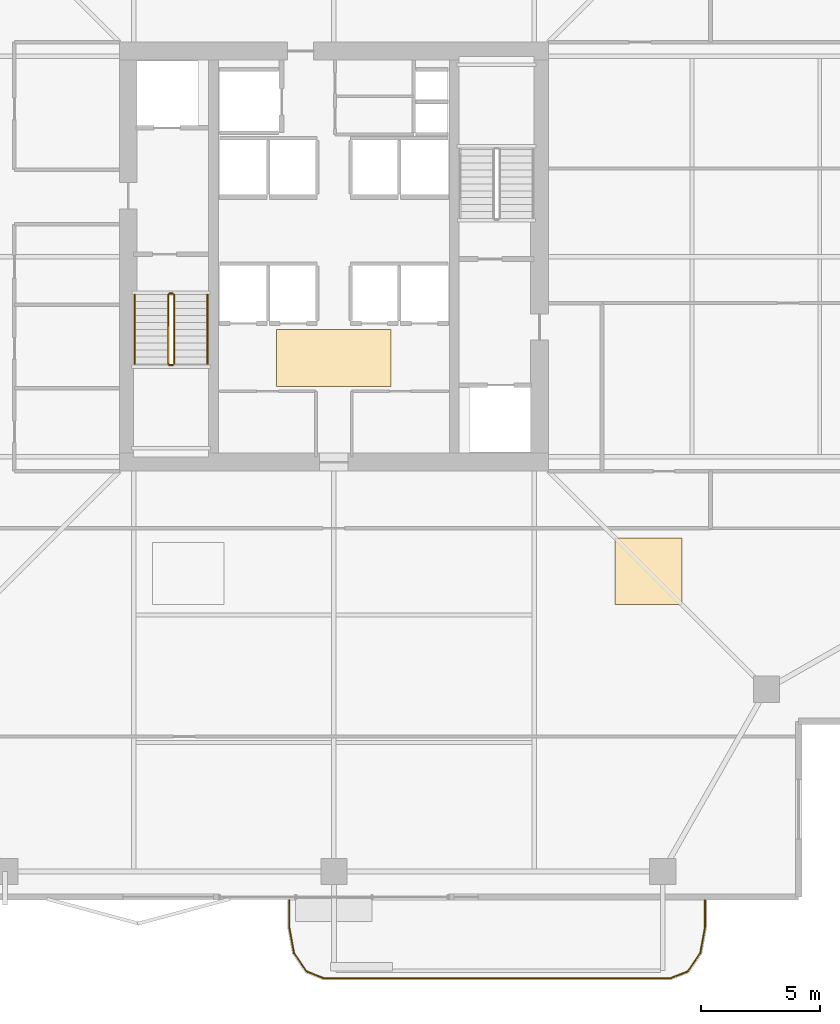
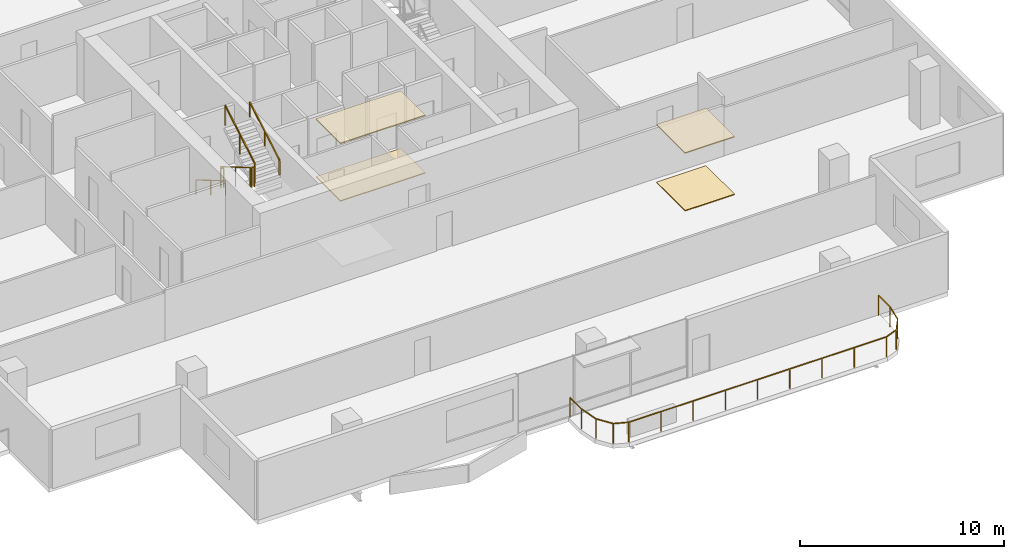
# One storey, part 22 of 24: 7 railings, 4 coverings.
"""IFC4 building model written with IfcOpenShell, lengths in metres."""

import ifcopenshell
import ifcopenshell.guid

model = None  # the IFC model being written
_history = None  # IfcOwnerHistory: only IFC2X3 demands one
_inside = {}  # id of a spatial element -> (the spatial element, [elements in it])
_under = {}  # id of a project, library or spatial element -> (it, [spatial elements below it])
_declared = {}  # id of a project -> (the project, [libraries it declares])
_typed = {}  # id of a type object -> (the type object, [elements of that type])
_made_of = {}  # id of a material, layer set ... -> (it, [elements and type objects made of it])


def new_model(schema):
    """Start an empty IFC model of exactly this schema.

    Asked for "IFC4X3", IfcOpenShell would pick the latest addendum, in which some entities
    have other attributes; the version numbers below select the first issue.
    IFC2X3 requires an IfcOwnerHistory on every rooted entity: one is made here for all.
    """
    global model, _history
    if schema == "IFC4X3":
        model = ifcopenshell.file(schema_version=(4, 3, 0, 0))
    else:
        model = ifcopenshell.file(schema=schema)
    _inside.clear()
    _under.clear()
    _declared.clear()
    _typed.clear()
    _made_of.clear()
    _history = None
    if model.schema == "IFC2X3":
        org = make("IfcOrganization", Name="unknown")
        user = make(
            "IfcPersonAndOrganization",
            ThePerson=make("IfcPerson", FamilyName="unknown"),
            TheOrganization=org,
        )
        app = make(
            "IfcApplication",
            ApplicationDeveloper=org,
            Version="unknown",
            ApplicationFullName="unknown",
            ApplicationIdentifier="unknown",
        )
        _history = make(
            "IfcOwnerHistory",
            OwningUser=user,
            OwningApplication=app,
            ChangeAction="ADDED",
            CreationDate=0,
        )
    return model


def make(cls, **values):
    """One entity of the class cls with the attributes given. An attribute that is None is left unset."""
    return model.create_entity(
        cls, **{name: value for name, value in values.items() if value is not None}
    )


def rooted(cls, **values):
    """An entity with a GlobalId (a new one), such as an element, a storey or a relation."""
    return make(cls, GlobalId=ifcopenshell.guid.new(), OwnerHistory=_history, **values)


def si_unit(unit_type, name, prefix=None):
    """IfcSIUnit, for example si_unit("LENGTHUNIT", "METRE", prefix="MILLI")."""
    return make("IfcSIUnit", UnitType=unit_type, Prefix=prefix, Name=name)


def assignment(units):
    """IfcUnitAssignment: the units of a project."""
    return None if units is None else make("IfcUnitAssignment", Units=units)


def point(xyz):
    """IfcCartesianPoint."""
    return None if xyz is None else make("IfcCartesianPoint", Coordinates=xyz)


def direction(xyz):
    """IfcDirection."""
    return None if xyz is None else make("IfcDirection", DirectionRatios=xyz)


def frame(location, z_axis=None, x_axis=None):
    """IfcAxis2Placement3D, a coordinate frame: its origin and axes. An axis left out is left unset."""
    return make(
        "IfcAxis2Placement3D",
        Location=point(location),
        Axis=direction(z_axis),
        RefDirection=direction(x_axis),
    )


def frame_2d(location, x_axis=None):
    """IfcAxis2Placement2D, a coordinate frame in the plane: its origin and x axis."""
    return make(
        "IfcAxis2Placement2D", Location=point(location), RefDirection=direction(x_axis)
    )


def origin():
    """The frame at (0, 0, 0) with its axes left unset."""
    return frame((0.0, 0.0, 0.0))


def origin_2d():
    """The frame at (0, 0) in the plane with its x axis left unset."""
    return frame_2d((0.0, 0.0))


def place(relative_to, where):
    """IfcLocalPlacement: puts the frame where relative to a parent placement (None: the world)."""
    return make(
        "IfcLocalPlacement", PlacementRelTo=relative_to, RelativePlacement=where
    )


def context(
    kind, dimensions, precision=None, world=None, true_north=None, identifier=None
):
    """IfcGeometricRepresentationContext, for example the 3D "Model" context."""
    return make(
        "IfcGeometricRepresentationContext",
        ContextIdentifier=identifier,
        ContextType=kind,
        CoordinateSpaceDimension=dimensions,
        Precision=precision,
        WorldCoordinateSystem=world,
        TrueNorth=true_north,
    )


def subcontext(parent, identifier, kind, view, scale=None):
    """IfcGeometricRepresentationSubContext, for example "Body" below "Model"."""
    return make(
        "IfcGeometricRepresentationSubContext",
        ContextIdentifier=identifier,
        ContextType=kind,
        ParentContext=parent,
        TargetScale=scale,
        TargetView=view,
    )


def project(units=None, contexts=None):
    """IfcProject with its units and contexts."""
    return rooted(
        "IfcProject",
        Name="project",
        RepresentationContexts=contexts,
        UnitsInContext=assignment(units),
    )


def spatial(cls, under=None, at=None, **own):
    """A site, building, storey or space (cls), placed at a placement, below another one or the project."""
    s = rooted(cls, ObjectPlacement=at, **own)
    if under is not None:
        _under.setdefault(under.id(), (under, []))[1].append(s)
    return s


def polyline(points):
    """IfcPolyline through the points."""
    return make("IfcPolyline", Points=[point(p) for p in points])


def profile(cls, at=None, kind="AREA", **sizes):
    """A parametric profile (cls). Its sizes go by their IFC names, for example OverallWidth=200.0."""
    return make(cls, ProfileType=kind, Position=at, **sizes)


def rectangle(**sizes):
    """IfcRectangleProfileDef."""
    return profile("IfcRectangleProfileDef", **sizes)


def outline(outer, holes=None, kind="AREA"):
    """IfcArbitraryClosedProfileDef: a profile drawn as a closed curve; with holes, ...WithVoids."""
    if holes is None:
        return make("IfcArbitraryClosedProfileDef", ProfileType=kind, OuterCurve=outer)
    return make(
        "IfcArbitraryProfileDefWithVoids",
        ProfileType=kind,
        OuterCurve=outer,
        InnerCurves=holes,
    )


def extrude(swept, where, along, depth):
    """IfcExtrudedAreaSolid: the profile swept, set in the frame where, extruded along a direction by depth."""
    return make(
        "IfcExtrudedAreaSolid",
        SweptArea=swept,
        Position=where,
        ExtrudedDirection=direction(along),
        Depth=depth,
    )


def shape(context_of_items, identifier, shape_type, items):
    """IfcShapeRepresentation: the items that make up one representation, for example the "Body"."""
    return make(
        "IfcShapeRepresentation",
        ContextOfItems=context_of_items,
        RepresentationIdentifier=identifier,
        RepresentationType=shape_type,
        Items=items,
    )


def material(Name=None, Category=None):
    """IfcMaterial."""
    return make("IfcMaterial", Name=Name, Category=Category)


def layer(
    of_material, thickness, ventilated=None, Name=None, Category=None, Priority=None
):
    """IfcMaterialLayer: one layer of a wall or slab, of a material (None: an air gap)."""
    return make(
        "IfcMaterialLayer",
        Material=of_material,
        LayerThickness=thickness,
        IsVentilated=ventilated,
        Name=Name,
        Category=Category,
        Priority=Priority,
    )


def layer_set(layers, Name=None):
    """IfcMaterialLayerSet."""
    return make("IfcMaterialLayerSet", MaterialLayers=layers, LayerSetName=Name)


def made_of(thing, what):
    """Note that an element or type object is made of a material, layer set ...; save() writes the relation."""
    if what is not None:
        _made_of.setdefault(what.id(), (what, []))[1].append(thing)
    return thing


def type_object(cls, material=None, **own):
    """A type object (cls), such as IfcWallType, which elements share."""
    return made_of(rooted(cls, **own), material)


def element(
    cls,
    number,
    at=None,
    inside=None,
    cuts=None,
    type_object=None,
    material=None,
    context=None,
    identifier="Body",
    shape_type=None,
    held_by="IfcProductDefinitionShape",
    body=None,
    shapes=None,
    **own,
):
    """One element of the class cls, such as IfcWall. Its Tag is "e" and its number.

    at: its placement. inside: the storey or other place that contains it. cuts: it is an
    opening in that element (IfcRelVoidsElement). A single representation is given by context,
    identifier, shape_type and body (its items); several are given by shapes. held_by: the class
    of the entity that holds the representations. save() writes the other relations.
    """
    e = rooted(cls, Tag="e%d" % number, ObjectPlacement=at, **own)
    if body is not None:
        shapes = [shape(context, identifier, shape_type, body)]
    if shapes is not None:
        e.Representation = make(held_by, Representations=shapes)
    if inside is not None:
        _inside.setdefault(inside.id(), (inside, []))[1].append(e)
    if cuts is not None:
        rooted(
            "IfcRelVoidsElement", RelatingBuildingElement=cuts, RelatedOpeningElement=e
        )
    if type_object is not None:
        _typed.setdefault(type_object.id(), (type_object, []))[1].append(e)
    return made_of(e, material)


def aggregate(whole, parts):
    """IfcRelAggregates: a whole, such as a stair, and the parts it consists of."""
    return rooted("IfcRelAggregates", RelatingObject=whole, RelatedObjects=parts)


def save(model, path):
    """Write the relations noted so far, then the file.

    IfcRelAggregates (storeys below a building ...), IfcRelContainedInSpatialStructure (elements
    in a storey), IfcRelDefinesByType, IfcRelAssociatesMaterial and IfcRelDeclares: one each for
    every whole, place, type object, material and project.
    """
    for whole, parts in _under.values():
        aggregate(whole, parts)
    for where, things in _inside.values():
        rooted(
            "IfcRelContainedInSpatialStructure",
            RelatedElements=things,
            RelatingStructure=where,
        )
    for kind, things in _typed.values():
        rooted("IfcRelDefinesByType", RelatedObjects=things, RelatingType=kind)
    for what, things in _made_of.values():
        rooted("IfcRelAssociatesMaterial", RelatedObjects=things, RelatingMaterial=what)
    for by, libraries in _declared.values():
        rooted("IfcRelDeclares", RelatingContext=by, RelatedDefinitions=libraries)
    model.write(path)


model = new_model("IFC4")

# Units and contexts
model_context = context("Model", 3, precision=1e-05, world=origin(), true_north=direction((0.0, 1.0)))
body_context = subcontext(model_context, "Body", "Model", "MODEL_VIEW")
ifc_project = project(units=[si_unit("LENGTHUNIT", "METRE"), si_unit("AREAUNIT", "SQUARE_METRE"), si_unit("VOLUMEUNIT", "CUBIC_METRE"), si_unit("PLANEANGLEUNIT", "RADIAN"), si_unit("MASSUNIT", "GRAM", prefix="KILO")], contexts=[model_context])

# Site, building, storey
site_placement = place(None, origin())
site = spatial("IfcSite", under=ifc_project, at=site_placement, CompositionType="ELEMENT")
building_placement = place(site_placement, origin())
building = spatial("IfcBuilding", under=site, at=building_placement, Name="Belovzor Exchange Tower", CompositionType="ELEMENT")
storey_placement = place(building_placement, frame((0.0, 0.0, 222.449951171875)))
storey = spatial("IfcBuildingStorey", under=building, at=storey_placement, Name="L55", CompositionType="ELEMENT", Elevation=222.449951171875)

# Railings
ifc_material_1 = material(Name="Stainless Steel Grade 304", Category="steel")
railing_type_1 = type_object("IfcRailingType", Name="Brushed Stainless Steel Stair Handrail 900", PredefinedType="HANDRAIL", material=ifc_material_1)
railing_1_placement = place(storey_placement, frame((20.449951171875, 27.199951171875, 0.17041015625)))
element("IfcRailing", 1, at=railing_1_placement, inside=storey, type_object=railing_type_1, Name="L55 ST-1 stair handrail 1", PredefinedType="HANDRAIL", context=body_context, shape_type="SweptSolid", body=[
    extrude(rectangle(XDim=0.048095703125, YDim=0.048095703125, at=origin_2d()), frame((0.0, 0.0, 0.8759765625), z_axis=(0.0, -0.86209462966, 0.506747323142), x_axis=(1.0, 0.0, 0.0)), (0.0, 0.0, 1.0), 3.36376953125),
    extrude(rectangle(XDim=0.0419921875, YDim=0.0419921875, at=origin_2d()), origin(), (0.0, 0.0, 1.0), 0.851806640625),
    extrude(rectangle(XDim=0.0419921875, YDim=0.0419921875, at=origin_2d()), frame((0.0, -1.449951171875, 0.852294921875)), (0.0, 0.0, 1.0), 0.851806640625),
    extrude(rectangle(XDim=0.0419921875, YDim=0.0419921875, at=origin_2d()), frame((0.0, -2.89990234375, 1.70458984375)), (0.0, 0.0, 1.0), 0.851806640625),
])
railing_2_placement = place(storey_placement, frame((23.5, 24.300048828125, 2.04541015625)))
element("IfcRailing", 2, at=railing_2_placement, inside=storey, type_object=railing_type_1, Name="L55 ST-1 stair handrail 2", PredefinedType="HANDRAIL", context=body_context, shape_type="SweptSolid", body=[
    extrude(rectangle(XDim=0.048095703125, YDim=0.048095703125, at=origin_2d()), frame((0.0, 0.0, 0.8759765625), z_axis=(0.0, 0.86209462966, 0.506747323142), x_axis=(-1.0, 0.0, 0.0)), (0.0, 0.0, 1.0), 3.36376953125),
    extrude(rectangle(XDim=0.0419921875, YDim=0.0419921875, at=origin_2d()), origin(), (0.0, 0.0, 1.0), 0.851806640625),
    extrude(rectangle(XDim=0.0419921875, YDim=0.0419921875, at=origin_2d()), frame((0.0, 1.449951171875, 0.852294921875)), (0.0, 0.0, 1.0), 0.851806640625),
    extrude(rectangle(XDim=0.0419921875, YDim=0.0419921875, at=origin_2d()), frame((0.0, 2.89990234375, 1.70458984375)), (0.0, 0.0, 1.0), 0.851806640625),
])
ifc_material_2 = material(Name="Stainless Steel and Laminated Safety Glass", Category="steel")
railing_type_2 = type_object("IfcRailingType", Name="Laminated Glass & Stainless Steel Balcony Balustrade 1200", PredefinedType="BALUSTRADE", material=ifc_material_2)
railing_3_placement = place(storey_placement, frame((26.929931640625, 1.7900390625, 0.0)))
element("IfcRailing", 3, at=railing_3_placement, inside=storey, type_object=railing_type_2, Name="GR-1 Balcony Balustrade L55 South", PredefinedType="BALUSTRADE", context=body_context, shape_type="SweptSolid", body=[
    extrude(rectangle(XDim=0.048095703125, YDim=0.048095703125, at=origin_2d()), frame((0.0, 0.0, 1.17578125), z_axis=(0.0, -1.0, 0.0), x_axis=(1.0, 0.0, 0.0)), (0.0, 0.0, 1.0), 1.133056640625),
    extrude(rectangle(XDim=0.048095703125, YDim=0.048095703125, at=origin_2d()), frame((0.0, -1.133056640625, 1.17578125), z_axis=(0.180122719713, -0.983644145941, 0.0), x_axis=(0.983644145941, 0.180122719713, 0.0)), (0.0, 0.0, 1.0), 1.09375),
    extrude(rectangle(XDim=0.048095703125, YDim=0.048095703125, at=origin_2d()), frame((0.197021484375, -2.208984375, 1.17578125), z_axis=(0.56294695933, -0.826493025367, 0.0), x_axis=(0.826493025367, 0.56294695933, 0.0)), (0.0, 0.0, 1.0), 0.932861328125),
    extrude(rectangle(XDim=0.048095703125, YDim=0.048095703125, at=origin_2d()), frame((0.72216796875, -2.97998046875, 1.17578125), z_axis=(0.930766990125, -0.365612923861, 0.0), x_axis=(0.365612923861, 0.930766990125, 0.0)), (0.0, 0.0, 1.0), 0.765869140625),
    extrude(rectangle(XDim=0.048095703125, YDim=0.048095703125, at=origin_2d()), frame((1.43505859375, -3.260009765625, 1.17578125), z_axis=(1.0, 0.0, 0.0), x_axis=(0.0, 1.0, 0.0)), (0.0, 0.0, 1.0), 14.570068359375),
    extrude(rectangle(XDim=0.048095703125, YDim=0.048095703125, at=origin_2d()), frame((16.005126953125, -3.260009765625, 1.17578125), z_axis=(0.930766990125, 0.365612923861, 0.0), x_axis=(-0.365612923861, 0.930766990125, 0.0)), (0.0, 0.0, 1.0), 0.765869140625),
    extrude(rectangle(XDim=0.048095703125, YDim=0.048095703125, at=origin_2d()), frame((16.718017578125, -2.97998046875, 1.17578125), z_axis=(0.56294695933, 0.826493025367, 0.0), x_axis=(-0.826493025367, 0.56294695933, 0.0)), (0.0, 0.0, 1.0), 0.932861328125),
    extrude(rectangle(XDim=0.048095703125, YDim=0.048095703125, at=origin_2d()), frame((17.2431640625, -2.208984375, 1.17578125), z_axis=(0.180122719713, 0.983644145941, 0.0), x_axis=(-0.983644145941, 0.180122719713, 0.0)), (0.0, 0.0, 1.0), 1.09375),
    extrude(rectangle(XDim=0.048095703125, YDim=0.048095703125, at=origin_2d()), frame((17.440185546875, -1.133056640625, 1.17578125), z_axis=(0.0, 1.0, 0.0), x_axis=(-1.0, 0.0, 0.0)), (0.0, 0.0, 1.0), 1.133056640625),
    extrude(rectangle(XDim=0.0419921875, YDim=0.0419921875, at=origin_2d()), origin(), (0.0, 0.0, 1.0), 1.15185546875),
    extrude(rectangle(XDim=0.0419921875, YDim=0.0419921875, at=origin_2d()), frame((0.0, -1.133056640625, 0.0)), (0.0, 0.0, 1.0), 1.15185546875),
    extrude(rectangle(XDim=0.0419921875, YDim=0.0419921875, at=origin_2d()), frame((0.197021484375, -2.208984375, 0.0)), (0.0, 0.0, 1.0), 1.15185546875),
    extrude(rectangle(XDim=0.0419921875, YDim=0.0419921875, at=origin_2d()), frame((0.72216796875, -2.97998046875, 0.0)), (0.0, 0.0, 1.0), 1.15185546875),
    extrude(rectangle(XDim=0.0419921875, YDim=0.0419921875, at=origin_2d()), frame((1.43505859375, -3.260009765625, 0.0)), (0.0, 0.0, 1.0), 1.15185546875),
    extrude(rectangle(XDim=0.0419921875, YDim=0.0419921875, at=origin_2d()), frame((3.25634765625, -3.260009765625, 0.0)), (0.0, 0.0, 1.0), 1.15185546875),
    extrude(rectangle(XDim=0.0419921875, YDim=0.0419921875, at=origin_2d()), frame((5.07763671875, -3.260009765625, 0.0)), (0.0, 0.0, 1.0), 1.15185546875),
    extrude(rectangle(XDim=0.0419921875, YDim=0.0419921875, at=origin_2d()), frame((6.89892578125, -3.260009765625, 0.0)), (0.0, 0.0, 1.0), 1.15185546875),
    extrude(rectangle(XDim=0.0419921875, YDim=0.0419921875, at=origin_2d()), frame((8.72021484375, -3.260009765625, 0.0)), (0.0, 0.0, 1.0), 1.15185546875),
    extrude(rectangle(XDim=0.0419921875, YDim=0.0419921875, at=origin_2d()), frame((10.541259765625, -3.260009765625, 0.0)), (0.0, 0.0, 1.0), 1.15185546875),
    extrude(rectangle(XDim=0.0419921875, YDim=0.0419921875, at=origin_2d()), frame((12.362548828125, -3.260009765625, 0.0)), (0.0, 0.0, 1.0), 1.15185546875),
    extrude(rectangle(XDim=0.0419921875, YDim=0.0419921875, at=origin_2d()), frame((14.183837890625, -3.260009765625, 0.0)), (0.0, 0.0, 1.0), 1.15185546875),
    extrude(rectangle(XDim=0.0419921875, YDim=0.0419921875, at=origin_2d()), frame((16.005126953125, -3.260009765625, 0.0)), (0.0, 0.0, 1.0), 1.15185546875),
    extrude(rectangle(XDim=0.0419921875, YDim=0.0419921875, at=origin_2d()), frame((16.718017578125, -2.97998046875, 0.0)), (0.0, 0.0, 1.0), 1.15185546875),
    extrude(rectangle(XDim=0.0419921875, YDim=0.0419921875, at=origin_2d()), frame((17.2431640625, -2.208984375, 0.0)), (0.0, 0.0, 1.0), 1.15185546875),
    extrude(rectangle(XDim=0.0419921875, YDim=0.0419921875, at=origin_2d()), frame((17.440185546875, -1.133056640625, 0.0)), (0.0, 0.0, 1.0), 1.15185546875),
    extrude(rectangle(XDim=0.0419921875, YDim=0.0419921875, at=origin_2d()), frame((17.440185546875, 0.0, 0.0)), (0.0, 0.0, 1.0), 1.15185546875),
])
ifc_material_3 = material(Name="Steel S355", Category="steel")
railing_type_3 = type_object("IfcRailingType", Name="Painted Steel Stairwell Guardrail 1200", PredefinedType="GUARDRAIL", material=ifc_material_3)
railing_4_placement = place(storey_placement, frame((21.85009765625, 27.199951171875, 0.17041015625)))
element("IfcRailing", 4, at=railing_4_placement, inside=storey, type_object=railing_type_3, Name="L55 ST-1 stair guard 1", PredefinedType="GUARDRAIL", context=body_context, shape_type="SweptSolid", body=[
    extrude(rectangle(XDim=0.048095703125, YDim=0.048095703125, at=origin_2d()), frame((0.0, 0.0, 1.17578125), z_axis=(0.0, -0.86209462966, 0.506747323142), x_axis=(1.0, 0.0, 0.0)), (0.0, 0.0, 1.0), 3.36376953125),
    extrude(rectangle(XDim=0.0419921875, YDim=0.0419921875, at=origin_2d()), origin(), (0.0, 0.0, 1.0), 1.15185546875),
    extrude(rectangle(XDim=0.0419921875, YDim=0.0419921875, at=origin_2d()), frame((0.0, -1.449951171875, 0.852294921875)), (0.0, 0.0, 1.0), 1.15185546875),
    extrude(rectangle(XDim=0.0419921875, YDim=0.0419921875, at=origin_2d()), frame((0.0, -2.89990234375, 1.70458984375)), (0.0, 0.0, 1.0), 1.15185546875),
])
railing_5_placement = place(storey_placement, frame((21.89990234375, 24.25, 1.875)))
element("IfcRailing", 5, at=railing_5_placement, inside=storey, type_object=railing_type_3, Name="L55 ST-1 stair guard 2", PredefinedType="GUARDRAIL", context=body_context, shape_type="SweptSolid", body=[
    extrude(rectangle(XDim=0.048095703125, YDim=0.048095703125, at=origin_2d()), frame((0.0, 0.0, 1.17578125), z_axis=(1.0, 0.0, 0.0), x_axis=(0.0, 1.0, 0.0)), (0.0, 0.0, 1.0), 0.150146484375),
    extrude(rectangle(XDim=0.0419921875, YDim=0.0419921875, at=origin_2d()), origin(), (0.0, 0.0, 1.0), 1.15185546875),
    extrude(rectangle(XDim=0.0419921875, YDim=0.0419921875, at=origin_2d()), frame((0.150146484375, 0.0, 0.0)), (0.0, 0.0, 1.0), 1.15185546875),
])
railing_6_placement = place(storey_placement, frame((22.10009765625, 24.300048828125, 2.04541015625)))
element("IfcRailing", 6, at=railing_6_placement, inside=storey, type_object=railing_type_3, Name="L55 ST-1 stair guard 3", PredefinedType="GUARDRAIL", context=body_context, shape_type="SweptSolid", body=[
    extrude(rectangle(XDim=0.048095703125, YDim=0.048095703125, at=origin_2d()), frame((0.0, 0.0, 1.17578125), z_axis=(0.0, 0.86209462966, 0.506747323142), x_axis=(-1.0, 0.0, 0.0)), (0.0, 0.0, 1.0), 3.36376953125),
    extrude(rectangle(XDim=0.0419921875, YDim=0.0419921875, at=origin_2d()), origin(), (0.0, 0.0, 1.0), 1.15185546875),
    extrude(rectangle(XDim=0.0419921875, YDim=0.0419921875, at=origin_2d()), frame((0.0, 1.449951171875, 0.852294921875)), (0.0, 0.0, 1.0), 1.15185546875),
    extrude(rectangle(XDim=0.0419921875, YDim=0.0419921875, at=origin_2d()), frame((0.0, 2.89990234375, 1.70458984375)), (0.0, 0.0, 1.0), 1.15185546875),
])
railing_7_placement = place(storey_placement, frame((21.89990234375, 27.25, 0.0)))
element("IfcRailing", 7, at=railing_7_placement, inside=storey, type_object=railing_type_3, Name="L55 ST-1 stair guard 4", PredefinedType="GUARDRAIL", context=body_context, shape_type="SweptSolid", body=[
    extrude(rectangle(XDim=0.048095703125, YDim=0.048095703125, at=origin_2d()), frame((0.0, 0.0, 1.17578125), z_axis=(1.0, 0.0, 0.0), x_axis=(0.0, 1.0, 0.0)), (0.0, 0.0, 1.0), 0.150146484375),
    extrude(rectangle(XDim=0.0419921875, YDim=0.0419921875, at=origin_2d()), origin(), (0.0, 0.0, 1.0), 1.15185546875),
    extrude(rectangle(XDim=0.0419921875, YDim=0.0419921875, at=origin_2d()), frame((0.150146484375, 0.0, 0.0)), (0.0, 0.0, 1.0), 1.15185546875),
])

# Coverings
ifc_material_4 = material(Name="Perforated Powder-Coated Aluminium", Category="aluminium")
ifc_layer_1 = layer(ifc_material_4, 0.06005859375)
ifc_layer_set_1 = layer_set([ifc_layer_1], Name="Perforated Powder-Coated Aluminium")
covering_type_1 = type_object("IfcCoveringType", Name="Perforated Acoustic Metal Tile Suspended Ceiling 60", PredefinedType="CEILING", material=ifc_layer_set_1)
covering_1_placement = place(storey_placement, frame((0.0, 0.0, 3.43994140625)))
element("IfcCovering", 8, at=covering_1_placement, inside=storey, type_object=covering_type_1, Name="CLG-AC60 Suspended Ceiling CLG-L55-LOB", PredefinedType="CEILING", context=body_context, shape_type="SweptSolid", body=[
    extrude(outline(polyline([(26.39990234375, 23.35009765625), (31.199951171875, 23.35009765625), (31.199951171875, 25.75), (26.39990234375, 25.75), (26.39990234375, 23.35009765625)])), origin(), (0.0, 0.0, 1.0), 0.06005859375),
])
covering_2_placement = place(storey_placement, frame((0.0, 0.0, 3.43994140625)))
element("IfcCovering", 9, at=covering_2_placement, inside=storey, type_object=covering_type_1, Name="CLG-AC60 Suspended Ceiling CLG-L55-Z1", PredefinedType="CEILING", context=body_context, shape_type="SweptSolid", body=[
    extrude(outline(polyline([(40.60009765625, 14.199951171875), (43.39990234375, 14.199951171875), (43.39990234375, 17.0), (40.60009765625, 17.0), (40.60009765625, 14.199951171875)])), origin(), (0.0, 0.0, 1.0), 0.06005859375),
])
ifc_material_5 = material(Name="Polished Natural Granite Tile", Category="masonry")
ifc_layer_2 = layer(ifc_material_5, 0.050048828125)
ifc_layer_set_2 = layer_set([ifc_layer_2], Name="Polished Natural Granite Tile")
covering_type_2 = type_object("IfcCoveringType", Name="Polished Karelian Granite & Raised Access Floor Finish 50", PredefinedType="FLOORING", material=ifc_layer_set_2)
covering_3_placement = place(storey_placement, origin())
element("IfcCovering", 10, at=covering_3_placement, inside=storey, type_object=covering_type_2, Name="FLR-GR50 Floor Finish FLR-L55-LOB", PredefinedType="FLOORING", context=body_context, shape_type="SweptSolid", body=[
    extrude(outline(polyline([(26.39990234375, 23.35009765625), (31.199951171875, 23.35009765625), (31.199951171875, 25.75), (26.39990234375, 25.75), (26.39990234375, 23.35009765625)])), origin(), (0.0, 0.0, 1.0), 0.050048828125),
])
covering_4_placement = place(storey_placement, origin())
element("IfcCovering", 11, at=covering_4_placement, inside=storey, type_object=covering_type_2, Name="FLR-GR50 Floor Finish FLR-L55-Z1", PredefinedType="FLOORING", context=body_context, shape_type="SweptSolid", body=[
    extrude(outline(polyline([(40.60009765625, 14.199951171875), (43.39990234375, 14.199951171875), (43.39990234375, 17.0), (40.60009765625, 17.0), (40.60009765625, 14.199951171875)])), origin(), (0.0, 0.0, 1.0), 0.050048828125),
])

save(model, "model.ifc")
